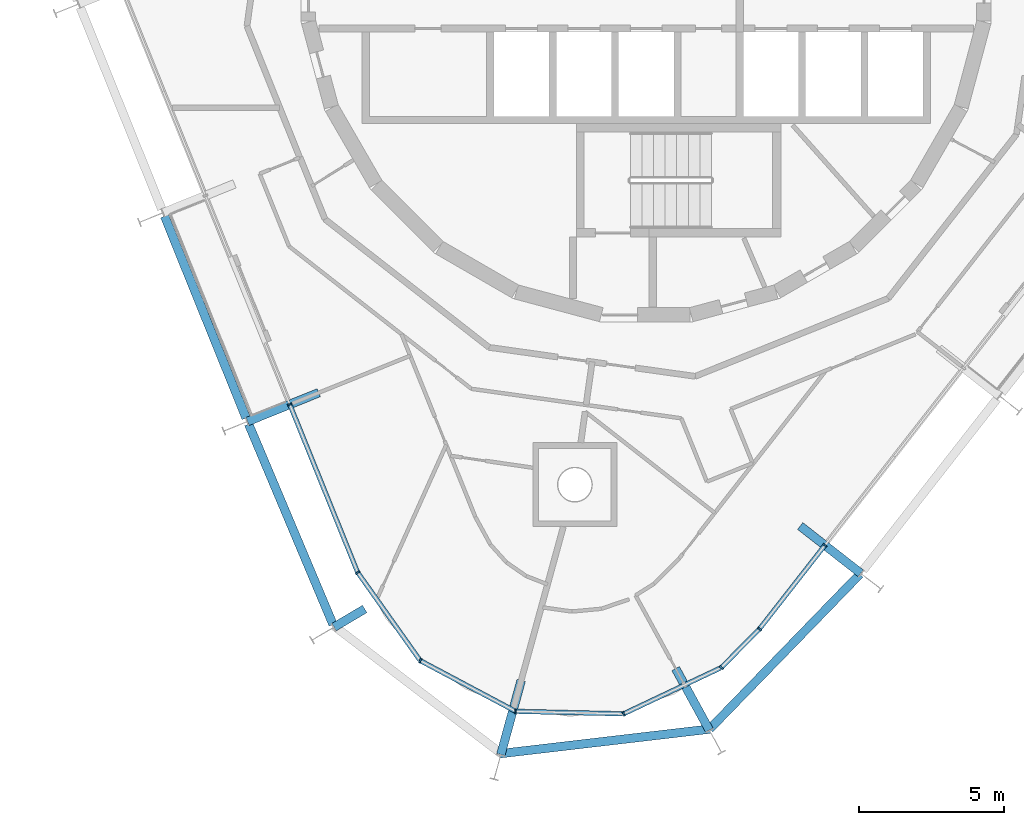
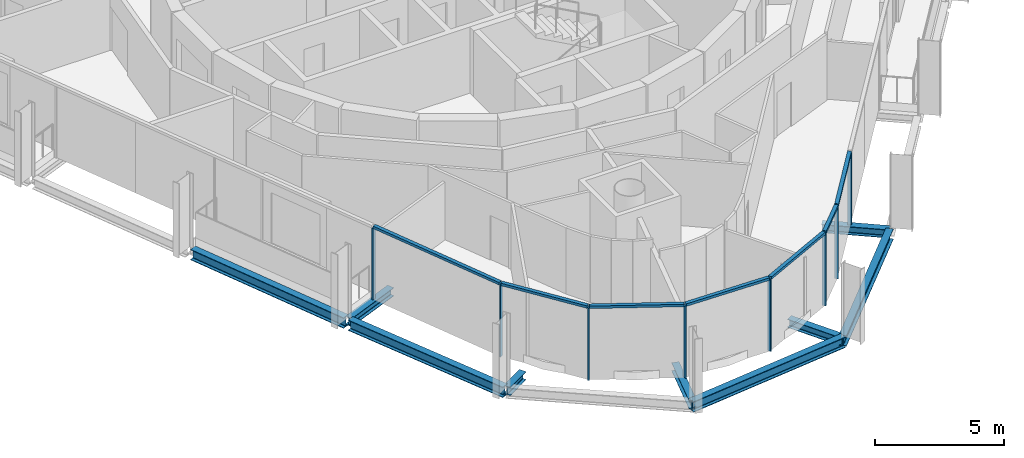
# One storey, part 2 of 15: 15 members, 9 beams, 2 elements without a shape of their own.
"""IFC4 building model written with IfcOpenShell, lengths in metres."""

from ifc_helpers import new_model, si_unit, direction, frame, origin, origin_2d, place, context, subcontext, project, spatial, rectangle, i_section, extrude, material, layer, layer_set, material_profile, profile_set, type_object, element, aggregate, save


model = new_model("IFC4")

# Units and contexts
model_context = context("Model", 3, precision=1e-05, world=origin(), true_north=direction((0.0, 1.0)))
body_context = subcontext(model_context, "Body", "Model", "MODEL_VIEW")
ifc_project = project(units=[si_unit("LENGTHUNIT", "METRE"), si_unit("AREAUNIT", "SQUARE_METRE"), si_unit("VOLUMEUNIT", "CUBIC_METRE"), si_unit("PLANEANGLEUNIT", "RADIAN"), si_unit("MASSUNIT", "GRAM", prefix="KILO")], contexts=[model_context])

# Site, building, storey
site_placement = place(None, origin())
site = spatial("IfcSite", under=ifc_project, at=site_placement, CompositionType="ELEMENT")
building_placement = place(site_placement, origin())
building = spatial("IfcBuilding", under=site, at=building_placement, Name="Spindle Arch Residences", CompositionType="ELEMENT")
storey_placement = place(building_placement, frame((0.0, 0.0, 343.5)))
storey = spatial("IfcBuildingStorey", under=building, at=storey_placement, Name="L88", CompositionType="ELEMENT", Elevation=343.5)

# Curtain wall, members
ifc_material_1 = material(Name="Aluminium bronze unitised frame with tinted glass", Category="aluminium")
ifc_layer_1 = layer(ifc_material_1, 0.159912109375)
ifc_layer_set_1 = layer_set([ifc_layer_1], Name="CW-D corner wall on the fillet arcs")
curtain_wall_type_1 = type_object("IfcCurtainWallType", Name="CW-D corner wall on the fillet arcs", PredefinedType="NOTDEFINED", material=ifc_layer_set_1)
curtain_wall_1_placement = place(storey_placement, origin())
curtain_wall_1 = element("IfcCurtainWall", 1, at=curtain_wall_1_placement, inside=storey, type_object=curtain_wall_type_1, Name="CW-D L88 run 5", PredefinedType="NOTDEFINED")
ifc_material_2 = material(Name="Aluminium bronze anodised mullion", Category="aluminium")
ifc_material_profile_1 = material_profile(ifc_material_2, rectangle(XDim=0.159912109375, YDim=0.06005859375, at=origin_2d()), Name="MU 60x160")
ifc_profile_set_1 = profile_set([ifc_material_profile_1], Name="Aluminium bronze anodised mullion")
member_type_1 = type_object("IfcMemberType", Name="Bronze mullion 60x160", PredefinedType="MULLION", material=ifc_profile_set_1)
member_1_placement = place(storey_placement, frame((-12.292724609375, -14.73779296875, -0.3798828125), z_axis=(0.0, 0.0, 1.0), x_axis=(0.927183854567, 0.374606593416, 0.0)))
member_1 = element("IfcMember", 2, at=member_1_placement, type_object=member_type_1, Name="CW-D mullion 00", PredefinedType="MULLION", context=body_context, shape_type="SweptSolid", body=[
    extrude(rectangle(XDim=0.159912109375, YDim=0.06005859375, at=origin_2d()), origin(), (0.0, 0.0, 1.0), 3.3798828125),
])
member_2_placement = place(storey_placement, frame((-9.951904296875, -20.53173828125, -0.3798828125), z_axis=(0.0, 0.0, 1.0), x_axis=(0.815801266332, 0.578332338584, 0.0)))
member_2 = element("IfcMember", 3, at=member_2_placement, type_object=member_type_1, Name="CW-D mullion 01", PredefinedType="MULLION", context=body_context, shape_type="SweptSolid", body=[
    extrude(rectangle(XDim=0.159912109375, YDim=0.06005859375, at=origin_2d()), origin(), (0.0, 0.0, 1.0), 3.3798828125),
])
member_3_placement = place(storey_placement, frame((-7.79638671875, -23.572021484375, -0.3798828125), z_axis=(0.0, 0.0, 1.0), x_axis=(0.469471563633, 0.882947592408, 0.0)))
member_3 = element("IfcMember", 4, at=member_3_placement, type_object=member_type_1, Name="CW-D mullion 02", PredefinedType="MULLION", context=body_context, shape_type="SweptSolid", body=[
    extrude(rectangle(XDim=0.159912109375, YDim=0.06005859375, at=origin_2d()), origin(), (0.0, 0.0, 1.0), 3.3798828125),
])
member_4_placement = place(storey_placement, frame((-4.505859375, -25.321533203125, -0.3798828125), z_axis=(0.0, 0.0, 1.0), x_axis=(0.023268959422, 0.999729241109, 0.0)))
member_4 = element("IfcMember", 5, at=member_4_placement, type_object=member_type_1, Name="CW-D mullion 03", PredefinedType="MULLION", context=body_context, shape_type="SweptSolid", body=[
    extrude(rectangle(XDim=0.159912109375, YDim=0.06005859375, at=origin_2d()), origin(), (0.0, 0.0, 1.0), 3.3798828125),
])
member_5_placement = place(storey_placement, frame((-0.7802734375, -25.408203125, -0.3798828125), z_axis=(0.0, 0.0, 1.0), x_axis=(-0.427883767902, 0.903833768547, 0.0)))
member_5 = element("IfcMember", 6, at=member_5_placement, type_object=member_type_1, Name="CW-D mullion 04", PredefinedType="MULLION", context=body_context, shape_type="SweptSolid", body=[
    extrude(rectangle(XDim=0.159912109375, YDim=0.06005859375, at=origin_2d()), origin(), (0.0, 0.0, 1.0), 3.3798828125),
])
member_6_placement = place(storey_placement, frame((2.588134765625, -23.813720703125, -0.3798828125), z_axis=(0.0, 0.0, 1.0), x_axis=(-0.711208575748, 0.702981053644, 0.0)))
member_6 = element("IfcMember", 7, at=member_6_placement, type_object=member_type_1, Name="CW-D mullion 05", PredefinedType="MULLION", context=body_context, shape_type="SweptSolid", body=[
    extrude(rectangle(XDim=0.159912109375, YDim=0.06005859375, at=origin_2d()), origin(), (0.0, 0.0, 1.0), 3.3798828125),
])
member_7_placement = place(storey_placement, frame((3.906982421875, -22.479248046875, -0.3798828125), z_axis=(0.0, 0.0, 1.0), x_axis=(-0.788010753607, 0.615661475326, 0.0)))
member_7 = element("IfcMember", 8, at=member_7_placement, type_object=member_type_1, Name="CW-D mullion 06", PredefinedType="MULLION", context=body_context, shape_type="SweptSolid", body=[
    extrude(rectangle(XDim=0.159912109375, YDim=0.06005859375, at=origin_2d()), origin(), (0.0, 0.0, 1.0), 3.3798828125),
])

# Curtain wall, member
ifc_material_3 = material(Name="Aluminium bronze unitised frame with tinted glass", Category="aluminium")
ifc_layer_2 = layer(ifc_material_3, 0.159912109375)
ifc_layer_set_2 = layer_set([ifc_layer_2], Name="CW-C typical residential unitised wall")
curtain_wall_type_2 = type_object("IfcCurtainWallType", Name="CW-C typical residential unitised wall", PredefinedType="NOTDEFINED", material=ifc_layer_set_2)
curtain_wall_2_placement = place(storey_placement, origin())
curtain_wall_2 = element("IfcCurtainWall", 9, at=curtain_wall_2_placement, inside=storey, type_object=curtain_wall_type_2, Name="CW-C L88 run 6", PredefinedType="NOTDEFINED")
member_8_placement = place(storey_placement, frame((6.160400390625, -19.594970703125, -0.3798828125), z_axis=(0.0, 0.0, 1.0), x_axis=(-0.788010753607, 0.615661475326, 0.0)))
member_8 = element("IfcMember", 10, at=member_8_placement, type_object=member_type_1, Name="CW-C mullion 18", PredefinedType="MULLION", context=body_context, shape_type="SweptSolid", body=[
    extrude(rectangle(XDim=0.159912109375, YDim=0.06005859375, at=origin_2d()), origin(), (0.0, 0.0, 1.0), 3.3798828125),
])
aggregate(curtain_wall_2, [member_8])

# Member
ifc_material_4 = material(Name="Aluminium bronze anodised transom", Category="aluminium")
ifc_material_profile_2 = material_profile(ifc_material_4, rectangle(XDim=0.159912109375, YDim=0.1201171875, at=origin_2d()), Name="TR 120x160")
ifc_profile_set_2 = profile_set([ifc_material_profile_2], Name="Aluminium bronze anodised transom")
member_type_2 = type_object("IfcMemberType", Name="Bronze transom 120x160", PredefinedType="USERDEFINED", material=ifc_profile_set_2)
member_9_placement = place(storey_placement, frame((-12.28125, -14.765625, 3.06005859375), z_axis=(0.374564798487, -0.927200739719, 0.0), x_axis=(0.927200739719, 0.374564798487, 0.0)))
member_9 = element("IfcMember", 11, at=member_9_placement, type_object=member_type_2, Name="CW-D transom 00", ObjectType="TRANSOM", PredefinedType="USERDEFINED", context=body_context, shape_type="SweptSolid", body=[
    extrude(rectangle(XDim=0.159912109375, YDim=0.1201171875, at=origin_2d()), origin(), (0.0, 0.0, 1.0), 6.188720703125),
])

member_10_placement = place(storey_placement, frame((-9.934326171875, -20.55615234375, 3.06005859375), z_axis=(0.578349828601, -0.815788867145, 0.0), x_axis=(0.815788867145, 0.578349828601, 0.0)))
member_10 = element("IfcMember", 12, at=member_10_placement, type_object=member_type_2, Name="CW-D transom 01", ObjectType="TRANSOM", PredefinedType="USERDEFINED", context=body_context, shape_type="SweptSolid", body=[
    extrude(rectangle(XDim=0.159912109375, YDim=0.1201171875, at=origin_2d()), origin(), (0.0, 0.0, 1.0), 3.666748046875),
])

member_11_placement = place(storey_placement, frame((-7.77001953125, -23.5859375, 3.06005859375), z_axis=(0.882947559001, -0.469471626463, 0.0), x_axis=(0.469471626463, 0.882947559001, 0.0)))
member_11 = element("IfcMember", 13, at=member_11_placement, type_object=member_type_2, Name="CW-D transom 02", ObjectType="TRANSOM", PredefinedType="USERDEFINED", context=body_context, shape_type="SweptSolid", body=[
    extrude(rectangle(XDim=0.159912109375, YDim=0.1201171875, at=origin_2d()), origin(), (0.0, 0.0, 1.0), 3.666748046875),
])

member_12_placement = place(storey_placement, frame((-4.47607421875, -25.322265625, 3.06005859375), z_axis=(0.999729981043, -0.023237147079, 0.0), x_axis=(0.023237147079, 0.999729981043, 0.0)))
member_12 = element("IfcMember", 14, at=member_12_placement, type_object=member_type_2, Name="CW-D transom 03", ObjectType="TRANSOM", PredefinedType="USERDEFINED", context=body_context, shape_type="SweptSolid", body=[
    extrude(rectangle(XDim=0.159912109375, YDim=0.1201171875, at=origin_2d()), origin(), (0.0, 0.0, 1.0), 3.666748046875),
])

member_13_placement = place(storey_placement, frame((-0.753173828125, -25.3955078125, 3.06005859375), z_axis=(0.903821874806, 0.427908890562, 0.0), x_axis=(-0.427908890562, 0.903821874806, 0.0)))
member_13 = element("IfcMember", 15, at=member_13_placement, type_object=member_type_2, Name="CW-D transom 04", ObjectType="TRANSOM", PredefinedType="USERDEFINED", context=body_context, shape_type="SweptSolid", body=[
    extrude(rectangle(XDim=0.159912109375, YDim=0.1201171875, at=origin_2d()), origin(), (0.0, 0.0, 1.0), 3.6669921875),
])

member_14_placement = place(storey_placement, frame((2.609130859375, -23.792236328125, 3.06005859375), z_axis=(0.703062417903, 0.711128143539, 0.0), x_axis=(-0.711128143539, 0.703062417903, 0.0)))
member_14 = element("IfcMember", 16, at=member_14_placement, type_object=member_type_2, Name="CW-D transom 05", ObjectType="TRANSOM", PredefinedType="USERDEFINED", context=body_context, shape_type="SweptSolid", body=[
    extrude(rectangle(XDim=0.159912109375, YDim=0.1201171875, at=origin_2d()), origin(), (0.0, 0.0, 1.0), 1.816162109375),
])

member_15_placement = place(storey_placement, frame((3.925537109375, -22.455810546875, 3.06005859375), z_axis=(0.615647989673, 0.788021289568, 0.0), x_axis=(-0.788021289568, 0.615647989673, 0.0)))
member_15 = element("IfcMember", 17, at=member_15_placement, type_object=member_type_2, Name="CW-D transom 06", ObjectType="TRANSOM", PredefinedType="USERDEFINED", context=body_context, shape_type="SweptSolid", body=[
    extrude(rectangle(XDim=0.159912109375, YDim=0.1201171875, at=origin_2d()), origin(), (0.0, 0.0, 1.0), 3.600341796875),
])

aggregate(curtain_wall_1, [member_1, member_9, member_2, member_10, member_3, member_11, member_4, member_12, member_5, member_13, member_6, member_14, member_7, member_15])

# Beams
ifc_material_5 = material(Name="Steel S460ML, intumescent coating R 120", Category="steel")
ifc_material_profile_3 = material_profile(ifc_material_5, i_section(OverallWidth=0.300048828125, OverallDepth=0.5, WebThickness=0.014404296875, FlangeThickness=0.028076171875, FilletRadius=0.027099609375, at=origin_2d()), Name="HEB 500")
ifc_profile_set_3 = profile_set([ifc_material_profile_3], Name="Steel S460ML, intumescent coating R 120")
beam_type_1 = type_object("IfcBeamType", Name="Exoskeleton edge beam HEB 500", PredefinedType="BEAM", material=ifc_profile_set_3)
beam_1_placement = place(storey_placement, frame((-16.608642578125, -8.24658203125, -0.6298828125), z_axis=(0.374596427458, -0.927187961816, 0.0), x_axis=(0.927187961816, 0.374596427458, 0.0)))
element("IfcBeam", 18, at=beam_1_placement, inside=storey, type_object=beam_type_1, Name="Exoskeleton edge beam 14", PredefinedType="BEAM", context=body_context, shape_type="SweptSolid", body=[
    extrude(i_section(OverallWidth=0.300048828125, OverallDepth=0.5, WebThickness=0.014404296875, FlangeThickness=0.028076171875, FilletRadius=0.027099609375, at=origin_2d()), origin(), (0.0, 0.0, 1.0), 7.50537109375),
])
beam_2_placement = place(storey_placement, frame((-13.711669921875, -15.4150390625, -0.6298828125), z_axis=(0.388148671876, -0.92159677111, 0.0), x_axis=(0.92159677111, 0.388148671876, 0.0)))
element("IfcBeam", 19, at=beam_2_placement, inside=storey, type_object=beam_type_1, Name="Exoskeleton edge beam 15", PredefinedType="BEAM", context=body_context, shape_type="SweptSolid", body=[
    extrude(i_section(OverallWidth=0.300048828125, OverallDepth=0.5, WebThickness=0.014404296875, FlangeThickness=0.028076171875, FilletRadius=0.027099609375, at=origin_2d()), origin(), (0.0, 0.0, 1.0), 7.500732421875),
])
beam_3_placement = place(storey_placement, frame((-5.0556640625, -26.78271484375, -0.6298828125), z_axis=(0.993205848316, 0.116370713117, 0.0), x_axis=(-0.116370713117, 0.993205848316, 0.0)))
element("IfcBeam", 20, at=beam_3_placement, inside=storey, type_object=beam_type_1, Name="Exoskeleton edge beam 17", PredefinedType="BEAM", context=body_context, shape_type="SweptSolid", body=[
    extrude(i_section(OverallWidth=0.300048828125, OverallDepth=0.5, WebThickness=0.014404296875, FlangeThickness=0.028076171875, FilletRadius=0.027099609375, at=origin_2d()), origin(), (0.0, 0.0, 1.0), 7.315673828125),
])
beam_4_placement = place(storey_placement, frame((2.19091796875, -25.927001953125, -0.6298828125), z_axis=(0.696374951776, 0.717678149688, 0.0), x_axis=(-0.717678149688, 0.696374951776, 0.0)))
element("IfcBeam", 21, at=beam_4_placement, inside=storey, type_object=beam_type_1, Name="Exoskeleton edge beam 18", PredefinedType="BEAM", context=body_context, shape_type="SweptSolid", body=[
    extrude(i_section(OverallWidth=0.300048828125, OverallDepth=0.5, WebThickness=0.014404296875, FlangeThickness=0.028076171875, FilletRadius=0.027099609375, at=origin_2d()), origin(), (0.0, 0.0, 1.0), 7.437744140625),
])
ifc_material_6 = material(Name="Steel S460ML, intumescent coating R 120", Category="steel")
ifc_material_profile_4 = material_profile(ifc_material_6, i_section(OverallWidth=0.300048828125, OverallDepth=0.389892578125, WebThickness=0.010986328125, FlangeThickness=0.01904296875, FilletRadius=0.027099609375, at=origin_2d()), Name="HEA 400")
ifc_profile_set_4 = profile_set([ifc_material_profile_4], Name="Steel S460ML, intumescent coating R 120")
beam_type_2 = type_object("IfcBeamType", Name="Floor outrigger HEA 400", PredefinedType="BEAM", material=ifc_profile_set_4)
beam_5_placement = place(storey_placement, frame((-13.748291015625, -15.325927734375, -0.574951171875), z_axis=(0.927187692393, 0.374597094323, 0.0), x_axis=(-0.374597094323, 0.927187692393, 0.0)))
element("IfcBeam", 22, at=beam_5_placement, inside=storey, type_object=beam_type_2, Name="Floor outrigger 15", PredefinedType="BEAM", context=body_context, shape_type="SweptSolid", body=[
    extrude(i_section(OverallWidth=0.300048828125, OverallDepth=0.389892578125, WebThickness=0.010986328125, FlangeThickness=0.01904296875, FilletRadius=0.027099609375, at=origin_2d()), origin(), (0.0, 0.0, 1.0), 2.64990234375),
])
beam_6_placement = place(storey_placement, frame((-10.765869140625, -22.417724609375, -0.574951171875), z_axis=(0.860752508727, 0.509023691709, 0.0), x_axis=(-0.509023691709, 0.860752508727, 0.0)))
element("IfcBeam", 23, at=beam_6_placement, inside=storey, type_object=beam_type_2, Name="Floor outrigger 16", PredefinedType="BEAM", context=body_context, shape_type="SweptSolid", body=[
    extrude(i_section(OverallWidth=0.300048828125, OverallDepth=0.389892578125, WebThickness=0.010986328125, FlangeThickness=0.01904296875, FilletRadius=0.027099609375, at=origin_2d()), origin(), (0.0, 0.0, 1.0), 1.229248046875),
])
beam_7_placement = place(storey_placement, frame((-5.01318359375, -26.810791015625, -0.574951171875), z_axis=(0.2645204188, 0.964380084841, 0.0), x_axis=(-0.964380084841, 0.2645204188, 0.0)))
element("IfcBeam", 24, at=beam_7_placement, inside=storey, type_object=beam_type_2, Name="Floor outrigger 17", PredefinedType="BEAM", context=body_context, shape_type="SweptSolid", body=[
    extrude(i_section(OverallWidth=0.300048828125, OverallDepth=0.389892578125, WebThickness=0.010986328125, FlangeThickness=0.01904296875, FilletRadius=0.027099609375, at=origin_2d()), origin(), (0.0, 0.0, 1.0), 2.64990234375),
])
beam_8_placement = place(storey_placement, frame((2.175537109375, -25.968505859375, -0.574951171875), z_axis=(-0.48032201602, 0.877092219169, 0.0), x_axis=(-0.877092219169, -0.48032201602, 0.0)))
element("IfcBeam", 25, at=beam_8_placement, inside=storey, type_object=beam_type_2, Name="Floor outrigger 18", PredefinedType="BEAM", context=body_context, shape_type="SweptSolid", body=[
    extrude(i_section(OverallWidth=0.300048828125, OverallDepth=0.389892578125, WebThickness=0.010986328125, FlangeThickness=0.01904296875, FilletRadius=0.027099609375, at=origin_2d()), origin(), (0.0, 0.0, 1.0), 2.41943359375),
])
beam_9_placement = place(storey_placement, frame((7.397705078125, -20.561767578125, -0.574951171875), z_axis=(-0.788015993799, 0.615654768127, 0.0), x_axis=(-0.615654768127, -0.788015993799, 0.0)))
element("IfcBeam", 26, at=beam_9_placement, inside=storey, type_object=beam_type_2, Name="Floor outrigger 19", PredefinedType="BEAM", context=body_context, shape_type="SweptSolid", body=[
    extrude(i_section(OverallWidth=0.300048828125, OverallDepth=0.389892578125, WebThickness=0.010986328125, FlangeThickness=0.01904296875, FilletRadius=0.027099609375, at=origin_2d()), origin(), (0.0, 0.0, 1.0), 2.650146484375),
])

save(model, "model.ifc")
